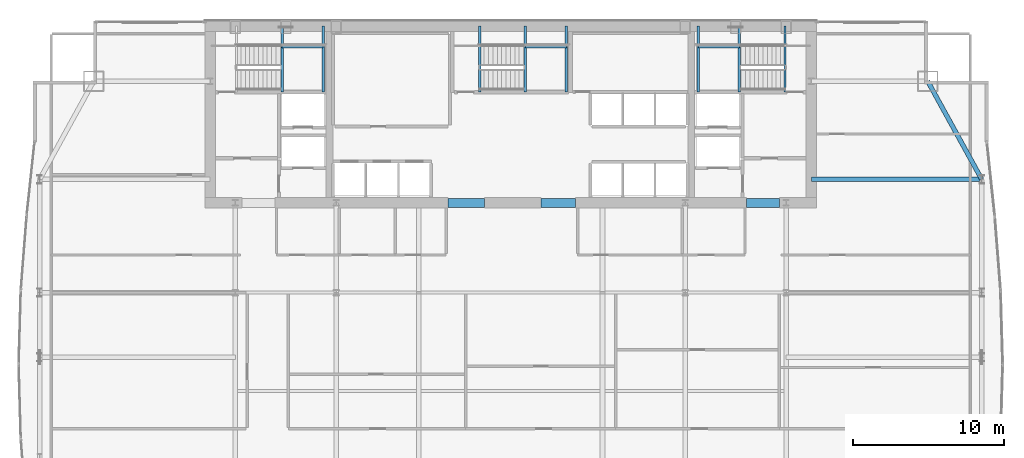
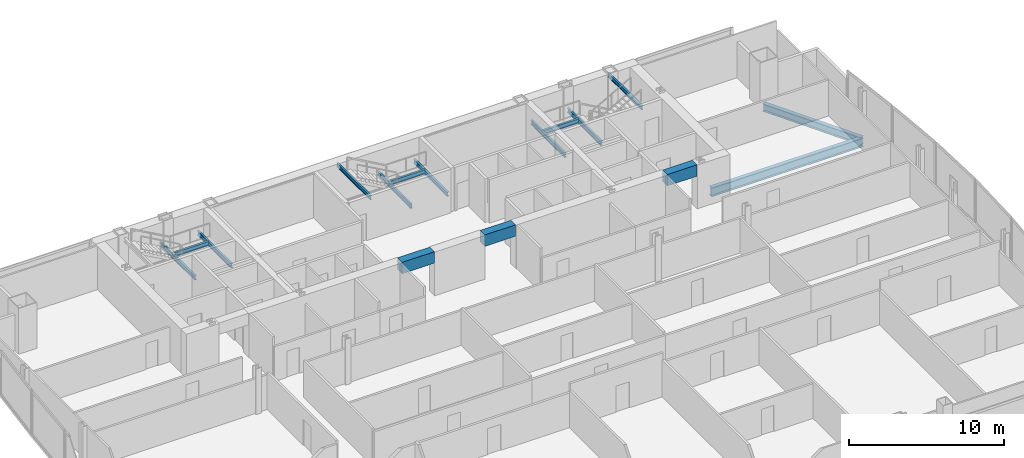
# One storey, part 19 of 29: 16 beams.
"""IFC4 building model written with IfcOpenShell, lengths in metres."""

from ifc_helpers import new_model, si_unit, direction, frame, origin, origin_2d, place, context, subcontext, project, spatial, rectangle, i_section, extrude, material, material_profile, profile_set, type_object, element, save


model = new_model("IFC4")

# Units and contexts
model_context = context("Model", 3, precision=1e-05, world=origin(), true_north=direction((0.0, 1.0)))
body_context = subcontext(model_context, "Body", "Model", "MODEL_VIEW")
ifc_project = project(units=[si_unit("LENGTHUNIT", "METRE"), si_unit("AREAUNIT", "SQUARE_METRE"), si_unit("VOLUMEUNIT", "CUBIC_METRE"), si_unit("PLANEANGLEUNIT", "RADIAN"), si_unit("MASSUNIT", "GRAM", prefix="KILO")], contexts=[model_context])

# Site, building, storey
site_placement = place(None, origin())
site = spatial("IfcSite", under=ifc_project, at=site_placement, CompositionType="ELEMENT")
building_placement = place(site_placement, origin())
building = spatial("IfcBuilding", under=site, at=building_placement, Name="Khoronbel Lancet Exchange", CompositionType="ELEMENT")
storey_placement = place(building_placement, frame((0.0, 0.0, 143.39990234375)))
storey = spatial("IfcBuildingStorey", under=building, at=storey_placement, Name="L35", CompositionType="ELEMENT", Elevation=143.39990234375)

# Beams
ifc_material_1 = material(Name="Steel S355", Category="steel")
ifc_material_profile_1 = material_profile(ifc_material_1, i_section(OverallWidth=0.300048828125, OverallDepth=0.699951171875, WebThickness=0.01708984375, FlangeThickness=0.031982421875, at=origin_2d()), Name="HEB 700")
ifc_profile_set_1 = profile_set([ifc_material_profile_1], Name="Steel S355")
beam_type_1 = type_object("IfcBeamType", Name="BM-BG3", PredefinedType="BEAM", material=ifc_profile_set_1)
beam_1_placement = place(storey_placement, frame((56.35009765625, 43.199951171875, -0.510009765625), z_axis=(1.0, 0.0, 0.0), x_axis=(0.0, 1.0, 0.0)))
element("IfcBeam", 1, at=beam_1_placement, inside=storey, type_object=beam_type_1, Name="Level L35 east lens tie girder LG3E", PredefinedType="BEAM", context=body_context, shape_type="SweptSolid", body=[
    extrude(i_section(OverallWidth=0.300048828125, OverallDepth=0.699951171875, WebThickness=0.01708984375, FlangeThickness=0.031982421875, at=origin_2d()), origin(), (0.0, 0.0, 1.0), 11.27978515625),
])
ifc_material_profile_2 = material_profile(ifc_material_1, i_section(OverallWidth=0.159912109375, OverallDepth=0.330078125, WebThickness=0.007568359375, FlangeThickness=0.011474609375, at=origin_2d()), Name="IPE 330")
ifc_profile_set_2 = profile_set([ifc_material_profile_2], Name="Steel S355")
beam_type_2 = type_object("IfcBeamType", Name="BM-BJ7", PredefinedType="JOIST", material=ifc_profile_set_2)
for number, where, z_axis, x_axis, name in (
    (2, (21.320068359375, 48.97998046875, 1.43505859375), (0.0, 1.0, 0.0), (-1.0, 0.0, 0.0), "Level L35 stair ST1 landing bearer beam 1"),
    (3, (24.030029296875, 48.97998046875, 1.43505859375), (0.0, 1.0, 0.0), (-1.0, 0.0, 0.0), "Level L35 stair ST1 rear landing bearer beam 1"),
):
    element("IfcBeam", number, at=place(storey_placement, frame(where, z_axis=z_axis, x_axis=x_axis)), inside=storey, type_object=beam_type_2, Name=name, PredefinedType="JOIST", context=body_context, shape_type="SweptSolid", body=[
        extrude(i_section(OverallWidth=0.159912109375, OverallDepth=0.330078125, WebThickness=0.007568359375, FlangeThickness=0.011474609375, at=origin_2d()), origin(), (0.0, 0.0, 1.0), 4.3701171875),
    ])
beam_2_placement = place(storey_placement, frame((21.320068359375, 51.97998046875, 1.43505859375), z_axis=(1.0, 0.0, 0.0), x_axis=(0.0, 1.0, 0.0)))
element("IfcBeam", 4, at=beam_2_placement, inside=storey, type_object=beam_type_2, Name="Level L35 stair ST1 landing cross trimmer beam 1", PredefinedType="JOIST", context=body_context, shape_type="SweptSolid", body=[
    extrude(i_section(OverallWidth=0.159912109375, OverallDepth=0.330078125, WebThickness=0.007568359375, FlangeThickness=0.011474609375, at=origin_2d()), origin(), (0.0, 0.0, 1.0), 2.7099609375),
])
for number, where, z_axis, x_axis, name in (
    (5, (51.580078125, 48.97998046875, 1.43505859375), (0.0, 1.0, 0.0), (-1.0, 0.0, 0.0), "Level L35 stair ST2 landing bearer beam 1"),
    (6, (48.8701171875, 48.97998046875, 1.43505859375), (0.0, 1.0, 0.0), (-1.0, 0.0, 0.0), "Level L35 stair ST2 rear landing bearer beam 1"),
):
    element("IfcBeam", number, at=place(storey_placement, frame(where, z_axis=z_axis, x_axis=x_axis)), inside=storey, type_object=beam_type_2, Name=name, PredefinedType="JOIST", context=body_context, shape_type="SweptSolid", body=[
        extrude(i_section(OverallWidth=0.159912109375, OverallDepth=0.330078125, WebThickness=0.007568359375, FlangeThickness=0.011474609375, at=origin_2d()), origin(), (0.0, 0.0, 1.0), 4.3701171875),
    ])
beam_3_placement = place(storey_placement, frame((48.8701171875, 51.97998046875, 1.43505859375), z_axis=(1.0, 0.0, 0.0), x_axis=(0.0, 1.0, 0.0)))
element("IfcBeam", 7, at=beam_3_placement, inside=storey, type_object=beam_type_2, Name="Level L35 stair ST2 landing cross trimmer beam 1", PredefinedType="JOIST", context=body_context, shape_type="SweptSolid", body=[
    extrude(i_section(OverallWidth=0.159912109375, OverallDepth=0.330078125, WebThickness=0.007568359375, FlangeThickness=0.011474609375, at=origin_2d()), origin(), (0.0, 0.0, 1.0), 2.7099609375),
])
for number, where, z_axis, x_axis, name in (
    (8, (37.419921875, 48.97998046875, 1.43505859375), (0.0, 1.0, 0.0), (-1.0, 0.0, 0.0), "Level L35 stair ST3 landing bearer beam 1"),
    (9, (40.1298828125, 48.97998046875, 1.43505859375), (0.0, 1.0, 0.0), (-1.0, 0.0, 0.0), "Level L35 stair ST3 rear landing bearer beam 1"),
):
    element("IfcBeam", number, at=place(storey_placement, frame(where, z_axis=z_axis, x_axis=x_axis)), inside=storey, type_object=beam_type_2, Name=name, PredefinedType="JOIST", context=body_context, shape_type="SweptSolid", body=[
        extrude(i_section(OverallWidth=0.159912109375, OverallDepth=0.330078125, WebThickness=0.007568359375, FlangeThickness=0.011474609375, at=origin_2d()), origin(), (0.0, 0.0, 1.0), 4.3701171875),
    ])
beam_4_placement = place(storey_placement, frame((37.419921875, 51.97998046875, 1.43505859375), z_axis=(1.0, 0.0, 0.0), x_axis=(0.0, 1.0, 0.0)))
element("IfcBeam", 10, at=beam_4_placement, inside=storey, type_object=beam_type_2, Name="Level L35 stair ST3 landing cross trimmer beam 1", PredefinedType="JOIST", context=body_context, shape_type="SweptSolid", body=[
    extrude(i_section(OverallWidth=0.159912109375, OverallDepth=0.330078125, WebThickness=0.007568359375, FlangeThickness=0.011474609375, at=origin_2d()), origin(), (0.0, 0.0, 1.0), 2.7099609375),
])
ifc_material_profile_3 = material_profile(ifc_material_1, i_section(OverallWidth=0.14990234375, OverallDepth=0.300048828125, WebThickness=0.007080078125, FlangeThickness=0.0107421875, at=origin_2d()), Name="IPE 300")
ifc_profile_set_3 = profile_set([ifc_material_profile_3], Name="Steel S355")
beam_type_3 = type_object("IfcBeamType", Name="BM-BJ8", PredefinedType="JOIST", material=ifc_profile_set_3)
for number, where, z_axis, x_axis, name in (
    (11, (54.60009765625, 48.97998046875, 3.16015625), (0.0, 1.0, 0.0), (-1.0, 0.0, 0.0), "Level L35 stair ST2 upper-flight arrival trimmer beam"),
    (12, (34.39990234375, 48.97998046875, 3.16015625), (0.0, 1.0, 0.0), (-1.0, 0.0, 0.0), "Level L35 stair ST3 upper-flight arrival trimmer beam"),
):
    element("IfcBeam", number, at=place(storey_placement, frame(where, z_axis=z_axis, x_axis=x_axis)), inside=storey, type_object=beam_type_3, Name=name, PredefinedType="JOIST", context=body_context, shape_type="SweptSolid", body=[
        extrude(i_section(OverallWidth=0.14990234375, OverallDepth=0.300048828125, WebThickness=0.007080078125, FlangeThickness=0.0107421875, at=origin_2d()), origin(), (0.0, 0.0, 1.0), 4.3701171875),
    ])
ifc_material_2 = material(Name="Concrete C80/95", Category="concrete")
ifc_material_profile_4 = material_profile(ifc_material_2, rectangle(XDim=0.60009765625, YDim=0.89990234375, at=origin_2d()), Name="RC 600x900")
ifc_profile_set_4 = profile_set([ifc_material_profile_4], Name="Concrete C80/95")
beam_type_4 = type_object("IfcBeamType", Name="BM-BL1", PredefinedType="LINTEL", material=ifc_profile_set_4)
beam_5_placement = place(storey_placement, frame((32.300048828125, 41.64990234375, 2.989990234375), z_axis=(1.0, 0.0, 0.0), x_axis=(0.0, 1.0, 0.0)))
element("IfcBeam", 13, at=beam_5_placement, inside=storey, type_object=beam_type_4, Name="Level L35 rear core coupling lintel L2", PredefinedType="LINTEL", context=body_context, shape_type="SweptSolid", body=[
    extrude(rectangle(XDim=0.60009765625, YDim=0.89990234375, at=origin_2d()), origin(), (0.0, 0.0, 1.0), 2.39990234375),
])
beam_6_placement = place(storey_placement, frame((38.449951171875, 41.64990234375, 2.989990234375), z_axis=(1.0, 0.0, 0.0), x_axis=(0.0, 1.0, 0.0)))
element("IfcBeam", 14, at=beam_6_placement, inside=storey, type_object=beam_type_4, Name="Level L35 rear core coupling lintel L3", PredefinedType="LINTEL", context=body_context, shape_type="SweptSolid", body=[
    extrude(rectangle(XDim=0.60009765625, YDim=0.89990234375, at=origin_2d()), origin(), (0.0, 0.0, 1.0), 2.300048828125),
])
beam_7_placement = place(storey_placement, frame((52.050048828125, 41.64990234375, 2.989990234375), z_axis=(1.0, 0.0, 0.0), x_axis=(0.0, 1.0, 0.0)))
element("IfcBeam", 15, at=beam_7_placement, inside=storey, type_object=beam_type_4, Name="Level L35 rear core coupling lintel L4", PredefinedType="LINTEL", context=body_context, shape_type="SweptSolid", body=[
    extrude(rectangle(XDim=0.60009765625, YDim=0.89990234375, at=origin_2d()), origin(), (0.0, 0.0, 1.0), 2.199951171875),
])
ifc_material_profile_5 = material_profile(ifc_material_1, i_section(OverallWidth=0.300048828125, OverallDepth=0.60009765625, WebThickness=0.015380859375, FlangeThickness=0.030029296875, at=origin_2d()), Name="HEB 600")
ifc_profile_set_5 = profile_set([ifc_material_profile_5], Name="Steel S355")
beam_type_5 = type_object("IfcBeamType", Name="BM-BSP2", PredefinedType="SPANDREL", material=ifc_profile_set_5)
beam_8_placement = place(storey_placement, frame((67.6298828125, 43.199951171875, -0.4599609375), z_axis=(-0.482418808117, 0.875940690672, 0.0), x_axis=(-0.875940690672, -0.482418808117, 0.0)))
element("IfcBeam", 16, at=beam_8_placement, inside=storey, type_object=beam_type_5, Name="Level L35 perimeter spandrel beam SP15", PredefinedType="SPANDREL", context=body_context, shape_type="SweptSolid", body=[
    extrude(i_section(OverallWidth=0.300048828125, OverallDepth=0.60009765625, WebThickness=0.015380859375, FlangeThickness=0.030029296875, at=origin_2d()), origin(), (0.0, 0.0, 1.0), 7.420654296875),
])

save(model, "model.ifc")
